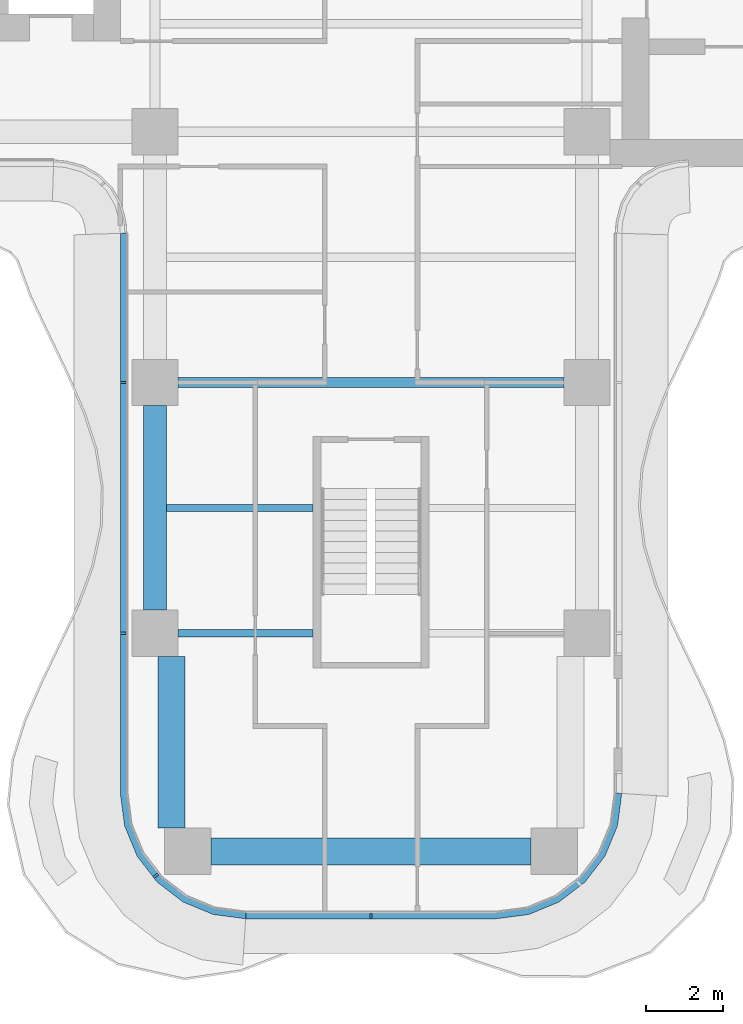
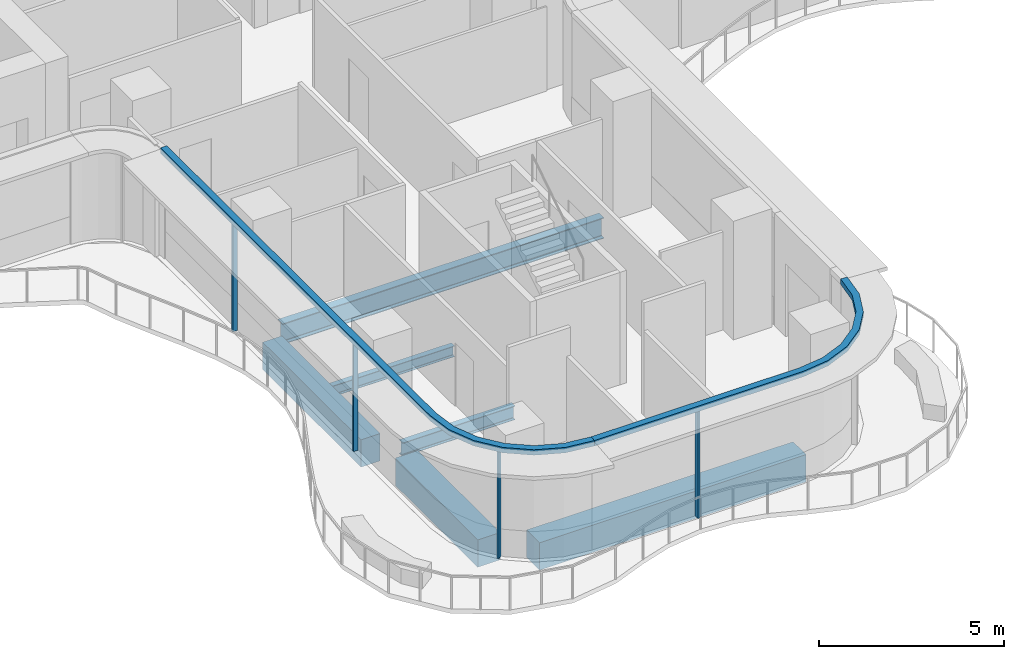
# One storey, part 2 of 18: 6 beams, 6 members, 2 elements without a shape of their own.
"""IFC4 building model written with IfcOpenShell, lengths in metres."""

from ifc_helpers import new_model, si_unit, direction, frame, origin, origin_2d, place, context, subcontext, project, spatial, polyline, rectangle, i_section, outline, extrude, source, transform, mapped, material, layer, layer_set, material_profile, profile_set, type_object, element, aggregate, save


model = new_model("IFC4")

# Units and contexts
model_context = context("Model", 3, precision=1e-05, world=origin(), true_north=direction((0.0, 1.0)))
body_context = subcontext(model_context, "Body", "Model", "MODEL_VIEW")
ifc_project = project(units=[si_unit("LENGTHUNIT", "METRE"), si_unit("AREAUNIT", "SQUARE_METRE"), si_unit("VOLUMEUNIT", "CUBIC_METRE"), si_unit("PLANEANGLEUNIT", "RADIAN"), si_unit("MASSUNIT", "GRAM", prefix="KILO")], contexts=[model_context])

# Site, building, storey
site_placement = place(None, origin())
site = spatial("IfcSite", under=ifc_project, at=site_placement, CompositionType="ELEMENT")
building_placement = place(site_placement, origin())
building = spatial("IfcBuilding", under=site, at=building_placement, Name="Trellis Farm Tower", CompositionType="ELEMENT")
storey_placement = place(building_placement, frame((0.0, 0.0, 177.60009765625)))
storey = spatial("IfcBuildingStorey", under=building, at=storey_placement, Name="L38", CompositionType="ELEMENT", Elevation=177.60009765625)

# Beams
ifc_material_1 = material(Name="Steel S355", Category="steel")
ifc_material_profile_1 = material_profile(ifc_material_1, i_section(OverallWidth=0.1904296875, OverallDepth=0.45703125, WebThickness=0.009033203125, FlangeThickness=0.014404296875, FilletRadius=0.01025390625, at=origin_2d()), Name="UB 457x191x74")
ifc_profile_set_1 = profile_set([ifc_material_profile_1], Name="Steel S355")
beam_type_1 = type_object("IfcBeamType", Name="UB 457x191x74", PredefinedType="BEAM", material=ifc_profile_set_1)
shared_shape_1 = source(origin(), body_context, "Body", "SweptSolid", [
    extrude(i_section(OverallWidth=0.1904296875, OverallDepth=0.45703125, WebThickness=0.009033203125, FlangeThickness=0.014404296875, FilletRadius=0.01025390625, at=origin_2d()), origin(), (0.0, 0.0, 1.0), 3.5),
])
beam_1_placement = place(storey_placement, frame((-5.0, -18.60009765625, -0.4287109375), z_axis=(1.0, 0.0, 0.0), x_axis=(0.0, 1.0, 0.0)))
element("IfcBeam", 1, at=beam_1_placement, inside=storey, type_object=beam_type_1, Name="Girder", PredefinedType="BEAM", context=body_context, shape_type="MappedRepresentation", body=[
    mapped(shared_shape_1, transform((0.0, 0.0, 0.0))),
])
ifc_material_2 = material(Name="Concrete C60/75", Category="concrete")
ifc_material_profile_2 = material_profile(ifc_material_2, rectangle(XDim=0.60009765625, YDim=0.89990234375, at=origin_2d()), Name="RC spandrel beam 600x900 C60/75")
ifc_profile_set_2 = profile_set([ifc_material_profile_2], Name="Concrete C60/75")
beam_type_2 = type_object("IfcBeamType", Name="RC spandrel beam 600x900 C60/75", PredefinedType="SPANDREL", material=ifc_profile_set_2)
shared_shape_2 = source(origin(), body_context, "Body", "SweptSolid", [
    extrude(rectangle(XDim=0.60009765625, YDim=0.89990234375, at=origin_2d()), origin(), (0.0, 0.0, 1.0), 5.300048828125),
])
beam_2_placement = place(storey_placement, frame((-5.60009765625, -18.0, -0.650146484375), z_axis=(0.0, 1.0, 0.0), x_axis=(-1.0, 0.0, 0.0)))
element("IfcBeam", 2, at=beam_2_placement, inside=storey, type_object=beam_type_2, Name="Girder", PredefinedType="SPANDREL", context=body_context, shape_type="MappedRepresentation", body=[
    mapped(shared_shape_2, transform((0.0, 0.0, 0.0))),
])
ifc_material_profile_3 = material_profile(ifc_material_1, i_section(OverallWidth=0.253662109375, OverallDepth=0.68359375, WebThickness=0.012451171875, FlangeThickness=0.021728515625, FilletRadius=0.01513671875, at=origin_2d()), Name="UB 686x254x140")
ifc_profile_set_3 = profile_set([ifc_material_profile_3], Name="Steel S355")
beam_type_3 = type_object("IfcBeamType", Name="UB 686x254x140", PredefinedType="BEAM", material=ifc_profile_set_3)
shared_shape_3 = source(origin(), body_context, "Body", "SweptSolid", [
    extrude(i_section(OverallWidth=0.253662109375, OverallDepth=0.68359375, WebThickness=0.012451171875, FlangeThickness=0.021728515625, FilletRadius=0.01513671875, at=origin_2d()), origin(), (0.0, 0.0, 1.0), 10.0),
])
beam_3_placement = place(storey_placement, frame((-5.0, -12.10009765625, -0.541748046875), z_axis=(1.0, 0.0, 0.0), x_axis=(0.0, 1.0, 0.0)))
element("IfcBeam", 3, at=beam_3_placement, inside=storey, type_object=beam_type_3, Name="Girder", PredefinedType="BEAM", context=body_context, shape_type="MappedRepresentation", body=[
    mapped(shared_shape_3, transform((0.0, 0.0, 0.0))),
])
ifc_material_profile_4 = material_profile(ifc_material_2, rectangle(XDim=0.699951171875, YDim=0.89990234375, at=origin_2d()), Name="RC spandrel beam 700x900 C60/75")
ifc_profile_set_4 = profile_set([ifc_material_profile_4], Name="Concrete C60/75")
beam_type_4 = type_object("IfcBeamType", Name="RC spandrel beam 700x900 C60/75", PredefinedType="SPANDREL", material=ifc_profile_set_4)
shared_shape_4 = source(origin(), body_context, "Body", "SweptSolid", [
    extrude(rectangle(XDim=0.699951171875, YDim=0.89990234375, at=origin_2d()), origin(), (0.0, 0.0, 1.0), 8.2998046875),
])
beam_4_placement = place(storey_placement, frame((-4.14990234375, -24.25, -0.650146484375), z_axis=(1.0, 0.0, 0.0), x_axis=(0.0, 1.0, 0.0)))
element("IfcBeam", 4, at=beam_4_placement, inside=storey, type_object=beam_type_4, Name="Girder", PredefinedType="SPANDREL", context=body_context, shape_type="MappedRepresentation", body=[
    mapped(shared_shape_4, transform((0.0, 0.0, 0.0))),
])
shared_shape_5 = source(origin(), body_context, "Body", "SweptSolid", [
    extrude(rectangle(XDim=0.699951171875, YDim=0.89990234375, at=origin_2d()), origin(), (0.0, 0.0, 1.0), 4.449951171875),
])
beam_5_placement = place(storey_placement, frame((-5.175048828125, -23.64990234375, -0.650146484375), z_axis=(0.0, 1.0, 0.0), x_axis=(-1.0, 0.0, 0.0)))
element("IfcBeam", 5, at=beam_5_placement, inside=storey, type_object=beam_type_4, Name="Girder", PredefinedType="SPANDREL", context=body_context, shape_type="MappedRepresentation", body=[
    mapped(shared_shape_5, transform((0.0, 0.0, 0.0))),
])
ifc_material_profile_5 = material_profile(ifc_material_1, i_section(OverallWidth=0.17138671875, OverallDepth=0.35498046875, WebThickness=0.00732421875, FlangeThickness=0.011474609375, FilletRadius=0.01025390625, at=origin_2d()), Name="UB 356x171x51")
ifc_profile_set_5 = profile_set([ifc_material_profile_5], Name="Steel S355")
beam_type_5 = type_object("IfcBeamType", Name="UB 356x171x51 joist", PredefinedType="JOIST", material=ifc_profile_set_5)
shared_shape_6 = source(origin(), body_context, "Body", "SweptSolid", [
    extrude(i_section(OverallWidth=0.17138671875, OverallDepth=0.35498046875, WebThickness=0.00732421875, FlangeThickness=0.011474609375, FilletRadius=0.01025390625, at=origin_2d()), origin(), (0.0, 0.0, 1.0), 3.800048828125),
])
beam_6_placement = place(storey_placement, frame((-5.300048828125, -15.35009765625, -0.377685546875), z_axis=(1.0, 0.0, 0.0), x_axis=(0.0, 1.0, 0.0)))
element("IfcBeam", 6, at=beam_6_placement, inside=storey, type_object=beam_type_5, Name="Floor beam", PredefinedType="JOIST", context=body_context, shape_type="MappedRepresentation", body=[
    mapped(shared_shape_6, transform((0.0, 0.0, 0.0))),
])

# Curtain wall, member
ifc_material_3 = material(Name="Aluminium and glass curtain wall", Category="aluminium")
ifc_layer_1 = layer(ifc_material_3, 0.18994140625)
ifc_layer_set_1 = layer_set([ifc_layer_1], Name="RIBBON CURTAIN WALL CW1")
curtain_wall_type = type_object("IfcCurtainWallType", Name="RIBBON CURTAIN WALL CW1", PredefinedType="NOTDEFINED", material=ifc_layer_set_1)
placement_1 = place(storey_placement, origin())
curtain_wall_1 = element("IfcCurtainWall", 7, at=placement_1, inside=storey, type_object=curtain_wall_type, Name="CW1 002", PredefinedType="NOTDEFINED")
ifc_material_4 = material(Name="Aluminium extrusion 6063-T6", Category="aluminium")
ifc_layer_2 = layer(ifc_material_4, 0.199951171875)
ifc_layer_set_2 = layer_set([ifc_layer_2], Name="Aluminium extrusion 6063-T6")
member_type_1 = type_object("IfcMemberType", Name="CW1 TRANSOM 200x180", PredefinedType="USERDEFINED", material=ifc_layer_set_2)
shared_shape_7 = source(origin(), body_context, "Body", "SweptSolid", [
    extrude(outline(polyline([(-6.5, -8.2314453125), (-6.5, -22.75), (-6.38916015625, -23.591064453125), (-6.064697265625, -24.375), (-5.548095703125, -25.048095703125), (-4.875, -25.564697265625), (-4.091064453125, -25.88916015625), (-3.25, -26.0), (-3.23681640625, -25.800048828125), (-4.0390625, -25.6943359375), (-4.774169921875, -25.389892578125), (-5.405517578125, -24.905517578125), (-5.889892578125, -24.274169921875), (-6.1943359375, -23.5390625), (-6.300048828125, -22.73681640625), (-6.300048828125, -8.224853515625), (-6.5, -8.2314453125)])), origin(), (0.0, 0.0, 1.0), 0.179931640625),
])
placement_2 = place(storey_placement, frame((0.0, 0.0, 3.52001953125)))
member_1 = element("IfcMember", 8, at=placement_2, type_object=member_type_1, Name="TR1 002", ObjectType="TRANSOM", PredefinedType="USERDEFINED", context=body_context, shape_type="MappedRepresentation", body=[
    mapped(shared_shape_7, transform((0.0, 0.0, 0.0))),
])

curtain_wall_2 = element("IfcCurtainWall", 9, at=placement_1, inside=storey, type_object=curtain_wall_type, Name="CW1 003", PredefinedType="NOTDEFINED")
shared_shape_8 = source(origin(), body_context, "Body", "SweptSolid", [
    extrude(outline(polyline([(-3.25, -26.0), (3.25, -26.0), (4.091064453125, -25.88916015625), (4.875, -25.564697265625), (5.548095703125, -25.048095703125), (6.064697265625, -24.375), (6.38916015625, -23.591064453125), (6.5, -22.75), (6.300048828125, -22.73681640625), (6.1943359375, -23.5390625), (5.889892578125, -24.274169921875), (5.405517578125, -24.905517578125), (4.774169921875, -25.389892578125), (4.0390625, -25.6943359375), (3.23681640625, -25.800048828125), (-3.23681640625, -25.800048828125), (-3.25, -26.0)])), origin(), (0.0, 0.0, 1.0), 0.179931640625),
])
member_2 = element("IfcMember", 10, at=placement_2, type_object=member_type_1, Name="TR1 003", ObjectType="TRANSOM", PredefinedType="USERDEFINED", context=body_context, shape_type="MappedRepresentation", body=[
    mapped(shared_shape_8, transform((0.0, 0.0, 0.0))),
])

# Member
ifc_material_profile_6 = material_profile(ifc_material_4, rectangle(XDim=0.06005859375, YDim=0.14990234375, at=origin_2d()), Name="MULLION 60x150")
ifc_profile_set_6 = profile_set([ifc_material_profile_6], Name="Aluminium extrusion 6063-T6")
member_type_2 = type_object("IfcMemberType", Name="CW1 MULLION 60x150", PredefinedType="MULLION", material=ifc_profile_set_6)
shared_shape_9 = source(origin(), body_context, "Body", "SweptSolid", [
    extrude(rectangle(XDim=0.06005859375, YDim=0.14990234375, at=origin_2d()), origin(), (0.0, 0.0, 1.0), 3.52001953125),
])
member_3_placement = place(storey_placement, frame((-6.425048828125, -12.10009765625, 0.0), z_axis=(0.0, 0.0, 1.0), x_axis=(0.0, -1.0, 0.0)))
member_3 = element("IfcMember", 11, at=member_3_placement, type_object=member_type_2, Name="MU1 002-01", PredefinedType="MULLION", context=body_context, shape_type="MappedRepresentation", body=[
    mapped(shared_shape_9, transform((0.0, 0.0, 0.0))),
])

member_4_placement = place(storey_placement, frame((-6.425048828125, -18.60009765625, 0.0), z_axis=(0.0, 0.0, 1.0), x_axis=(0.0, -1.0, 0.0)))
member_4 = element("IfcMember", 12, at=member_4_placement, type_object=member_type_2, Name="MU1 002-02", PredefinedType="MULLION", context=body_context, shape_type="MappedRepresentation", body=[
    mapped(shared_shape_9, transform((0.0, 0.0, 0.0))),
])

member_5_placement = place(storey_placement, frame((-5.578369140625, -24.885498046875, 0.0), z_axis=(0.0, 0.0, 1.0), x_axis=(0.608761429009, -0.793353340291, 0.0)))
member_5 = element("IfcMember", 13, at=member_5_placement, type_object=member_type_2, Name="MU1 002-03", PredefinedType="MULLION", context=body_context, shape_type="MappedRepresentation", body=[
    mapped(shared_shape_9, transform((0.0, 0.0, 0.0))),
])

aggregate(curtain_wall_1, [member_3, member_4, member_5, member_1])

member_6_placement = place(storey_placement, frame((0.0, -25.925048828125, 0.0), z_axis=(0.0, 0.0, 1.0), x_axis=(1.0, 0.0, 0.0)))
member_6 = element("IfcMember", 14, at=member_6_placement, type_object=member_type_2, Name="MU1 003-01", PredefinedType="MULLION", context=body_context, shape_type="MappedRepresentation", body=[
    mapped(shared_shape_9, transform((0.0, 0.0, 0.0))),
])

aggregate(curtain_wall_2, [member_6, member_2])

save(model, "model.ifc")
